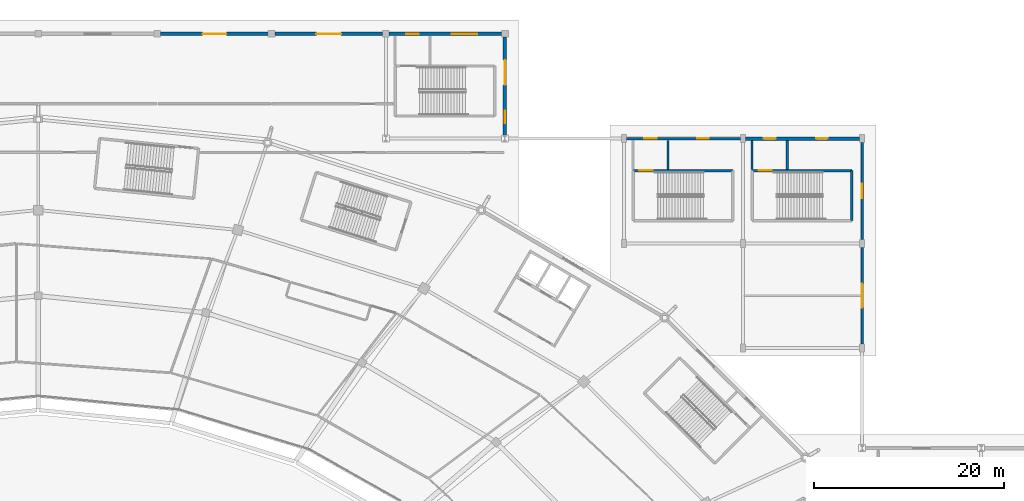
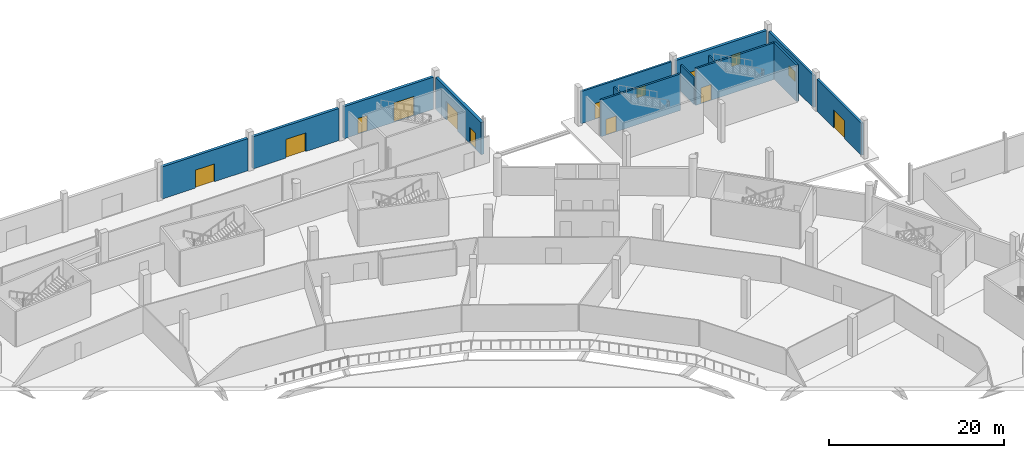
# One storey, part 53 of 82: 14 walls, 11 doors, 3 windows, 14 openings.
"""IFC4 building model written with IfcOpenShell, lengths in metres."""

from ifc_helpers import new_model, si_unit, direction, frame, frame_2d, origin, place, context, subcontext, project, spatial, rectangle, extrude, material, layer, layer_set, type_object, element, fill, save


model = new_model("IFC4")

# Units and contexts
model_context = context("Model", 3, precision=1e-05, world=origin(), true_north=direction((0.0, 1.0)))
body_context = subcontext(model_context, "Body", "Model", "MODEL_VIEW")
ifc_project = project(units=[si_unit("LENGTHUNIT", "METRE"), si_unit("AREAUNIT", "SQUARE_METRE"), si_unit("VOLUMEUNIT", "CUBIC_METRE"), si_unit("PLANEANGLEUNIT", "RADIAN"), si_unit("MASSUNIT", "GRAM", prefix="KILO")], contexts=[model_context])

# Site, building, storey
site_placement = place(None, origin())
site = spatial("IfcSite", under=ifc_project, at=site_placement, CompositionType="ELEMENT")
building_placement = place(site_placement, origin())
building = spatial("IfcBuilding", under=site, at=building_placement, Name="Zlatoyarsky Gate Stadium", CompositionType="ELEMENT")
storey_placement = place(building_placement, origin())
storey = spatial("IfcBuildingStorey", under=building, at=storey_placement, Name="L00", CompositionType="ELEMENT", Elevation=0.0)

# Wall, opening, door
ifc_material_1 = material(Name="Concrete C40/50", Category="concrete")
ifc_layer_1 = layer(ifc_material_1, 0.25)
ifc_layer_set_1 = layer_set([ifc_layer_1], Name="Concrete C40/50")
wall_type_1 = type_object("IfcWallType", Name="CONCRETE STAIR CORE SHEAR WALL 250", PredefinedType="SHEAR", material=ifc_layer_set_1)
wall_1_placement = place(storey_placement, frame((183.925048828125, 145.625, 0.0), z_axis=(0.0, 0.0, 1.0), x_axis=(-1.0, 0.0, 0.0)))
wall_1 = element("IfcWall", 1, at=wall_1_placement, inside=storey, type_object=wall_type_1, Name="ST-27 L00 stair core right shear wall", PredefinedType="SHEAR", context=body_context, shape_type="SweptSolid", body=[
    extrude(rectangle(XDim=10.449951171875, YDim=0.25, at=frame_2d((5.22509765625, 0.0))), origin(), (0.0, 0.0, 1.0), 5.10009765625),
])
opening_1_placement = place(wall_1_placement, frame((8.39990234375, 0.0, 0.0)))
opening_1 = element("IfcOpeningElement", 2, at=opening_1_placement, cuts=wall_1, Name="Opening SD-ST-27-L00", PredefinedType="OPENING", context=body_context, shape_type="SweptSolid", body=[
    extrude(rectangle(XDim=1.39990234375, YDim=2.199951171875, at=frame_2d((0.699951171875, 1.10009765625))), frame((0.0, 0.135009765625, 0.0), z_axis=(0.0, -1.0, 0.0), x_axis=(1.0, 0.0, 0.0)), (0.0, 0.0, 1.0), 0.27001953125),
])
ifc_material_2 = material(Name="Powder-coated steel fire door", Category="steel")
door_type_1 = type_object("IfcDoorType", Name="STAIR CORE FIRE EXIT DOOR 1400X2200", OperationType="NOTDEFINED", PredefinedType="DOOR", material=ifc_material_2)
door_1_placement = place(opening_1_placement, frame((1.39990234375, 0.0, 0.0), z_axis=(0.0, 0.0, 1.0), x_axis=(-1.0, 0.0, 0.0)))
door_1 = element("IfcDoor", 3, at=door_1_placement, inside=storey, type_object=door_type_1, Name="ST-27 L00 protected exit discharge fire door", OperationType="SINGLE_SWING_RIGHT", OverallHeight=2.199951171875, OverallWidth=1.39990234375, PredefinedType="DOOR", context=body_context, shape_type="SweptSolid", body=[
    extrude(rectangle(XDim=1.39990234375, YDim=2.199951171875, at=frame_2d((0.699951171875, 1.10009765625))), frame((0.0, 0.02490234375, 0.0), z_axis=(0.0, -1.0, 0.0), x_axis=(1.0, 0.0, 0.0)), (0.0, 0.0, 1.0), 0.050048828125),
])
fill(opening_1, door_1)

# Wall
wall_2_placement = place(storey_placement, frame((196.425048828125, 140.375, 0.0), z_axis=(0.0, 0.0, 1.0), x_axis=(0.0, 1.0, 0.0)))
element("IfcWall", 4, at=wall_2_placement, inside=storey, type_object=wall_type_1, Name="ST-28 L00 stair core far shear wall", PredefinedType="SHEAR", context=body_context, shape_type="SweptSolid", body=[
    extrude(rectangle(XDim=5.25, YDim=0.25, at=frame_2d((2.625, 0.0))), origin(), (0.0, 0.0, 1.0), 5.10009765625),
])

# Wall, opening, door
wall_3_placement = place(storey_placement, frame((196.425048828125, 145.625, 0.0), z_axis=(0.0, 0.0, 1.0), x_axis=(-1.0, 0.0, 0.0)))
wall_3 = element("IfcWall", 5, at=wall_3_placement, inside=storey, type_object=wall_type_1, Name="ST-28 L00 stair core right shear wall", PredefinedType="SHEAR", context=body_context, shape_type="SweptSolid", body=[
    extrude(rectangle(XDim=10.449951171875, YDim=0.25, at=frame_2d((5.22509765625, 0.0))), origin(), (0.0, 0.0, 1.0), 5.10009765625),
])
opening_2_placement = place(wall_3_placement, frame((8.39990234375, 0.0, 0.0)))
opening_2 = element("IfcOpeningElement", 6, at=opening_2_placement, cuts=wall_3, Name="Opening SD-ST-28-L00", PredefinedType="OPENING", context=body_context, shape_type="SweptSolid", body=[
    extrude(rectangle(XDim=1.39990234375, YDim=2.199951171875, at=frame_2d((0.699951171875, 1.10009765625))), frame((0.0, 0.135009765625, 0.0), z_axis=(0.0, -1.0, 0.0), x_axis=(1.0, 0.0, 0.0)), (0.0, 0.0, 1.0), 0.27001953125),
])
door_2_placement = place(opening_2_placement, frame((1.39990234375, 0.0, 0.0), z_axis=(0.0, 0.0, 1.0), x_axis=(-1.0, 0.0, 0.0)))
door_2 = element("IfcDoor", 7, at=door_2_placement, inside=storey, type_object=door_type_1, Name="ST-28 L00 protected exit discharge fire door", OperationType="SINGLE_SWING_LEFT", OverallHeight=2.199951171875, OverallWidth=1.39990234375, PredefinedType="DOOR", context=body_context, shape_type="SweptSolid", body=[
    extrude(rectangle(XDim=1.39990234375, YDim=2.199951171875, at=frame_2d((0.699951171875, 1.10009765625))), frame((0.0, 0.02490234375, 0.0), z_axis=(0.0, -1.0, 0.0), x_axis=(1.0, 0.0, 0.0)), (0.0, 0.0, 1.0), 0.050048828125),
])
fill(opening_2, door_2)

# Walls
ifc_material_3 = material(Name="Autoclaved aerated concrete masonry EI 120", Category="masonry")
ifc_layer_2 = layer(ifc_material_3, 0.219970703125)
ifc_layer_set_2 = layer_set([ifc_layer_2], Name="Autoclaved aerated concrete masonry EI 120")
wall_type_2 = type_object("IfcWallType", Name="FIREFIGHTING LOBBY RATED WALL 220", PredefinedType="PARTITIONING", material=ifc_layer_set_2)
for number, where, z_axis, x_axis, name in (
    (8, (177.139892578125, 145.760009765625, 0.0), (0.0, 0.0, 1.0), (0.0, 1.0, 0.0), "ST-27 L00 protected exit lobby EI 120 wall 2"),
    (9, (185.9599609375, 145.760009765625, 0.0), (0.0, 0.0, 1.0), (0.0, 1.0, 0.0), "ST-28 L00 protected exit lobby EI 120 wall 1"),
    (10, (189.639892578125, 145.760009765625, 0.0), (0.0, 0.0, 1.0), (0.0, 1.0, 0.0), "ST-28 L00 protected exit lobby EI 120 wall 2"),
):
    element("IfcWall", number, at=place(storey_placement, frame(where, z_axis=z_axis, x_axis=x_axis)), inside=storey, type_object=wall_type_2, Name=name, PredefinedType="PARTITIONING", context=body_context, shape_type="SweptSolid", body=[
        extrude(rectangle(XDim=3.050048828125, YDim=0.219970703125, at=frame_2d((1.52490234375, 0.0))), origin(), (0.0, 0.0, 1.0), 3.68994140625),
    ])

# Wall, opening, door
ifc_material_4 = material(Name="Precast concrete C40/50 architectural panel", Category="concrete")
ifc_layer_3 = layer(ifc_material_4, 0.280029296875)
ifc_layer_set_3 = layer_set([ifc_layer_3], Name="Precast concrete C40/50 architectural panel")
wall_type_3 = type_object("IfcWallType", Name="INSULATED WING SPANDREL WALL 280", PredefinedType="STANDARD", material=ifc_layer_set_3)
wall_4_placement = place(storey_placement, frame((197.5, 127.422119140625, 0.0), z_axis=(0.0, 0.0, 1.0), x_axis=(0.0, 1.0, 0.0)))
wall_4 = element("IfcWall", 11, at=wall_4_placement, inside=storey, type_object=wall_type_3, Name="V6_NE L00 E exterior wall", PredefinedType="STANDARD", context=body_context, shape_type="SweptSolid", body=[
    extrude(rectangle(XDim=10.15576171875, YDim=0.280029296875, at=frame_2d((5.077880859375, 0.0))), origin(), (0.0, 0.0, 1.0), 4.47998046875),
])
opening_3_placement = place(wall_4_placement, frame((3.827880859375, 0.0, 0.0)))
opening_3 = element("IfcOpeningElement", 12, at=opening_3_placement, cuts=wall_4, Name="Opening ED-V6NE", PredefinedType="OPENING", context=body_context, shape_type="SweptSolid", body=[
    extrude(rectangle(XDim=2.5, YDim=2.5, at=frame_2d((1.25, 1.25))), frame((0.0, 0.14990234375, 0.0), z_axis=(0.0, -1.0, 0.0), x_axis=(1.0, 0.0, 0.0)), (0.0, 0.0, 1.0), 0.300048828125),
])
ifc_material_5 = material(Name="Thermally broken powder-coated steel and laminated safety glass", Category="steel")
door_type_2 = type_object("IfcDoorType", Name="PAVILION ENTRANCE DOUBLE DOOR 2500X2500", OperationType="DOUBLE_DOOR_SINGLE_SWING", PredefinedType="DOOR", material=ifc_material_5)
door_3_placement = place(opening_3_placement, frame((2.5, 0.0, 0.0), z_axis=(0.0, 0.0, 1.0), x_axis=(-1.0, 0.0, 0.0)))
door_3 = element("IfcDoor", 13, at=door_3_placement, inside=storey, type_object=door_type_2, Name="Exterior door ED-V6NE", OperationType="DOUBLE_DOOR_SINGLE_SWING", OverallHeight=2.5, OverallWidth=2.5, PredefinedType="DOOR", context=body_context, shape_type="SweptSolid", body=[
    extrude(rectangle(XDim=2.5, YDim=2.5, at=frame_2d((1.25, 1.25))), frame((0.0, 0.02490234375, 0.0), z_axis=(0.0, -1.0, 0.0), x_axis=(1.0, 0.0, 0.0)), (0.0, 0.0, 1.0), 0.050048828125),
])
fill(opening_3, door_3)

# Wall, opening, window
wall_5_placement = place(storey_placement, frame((197.5, 138.422119140625, 0.0), z_axis=(0.0, 0.0, 1.0), x_axis=(0.0, 1.0, 0.0)))
wall_5 = element("IfcWall", 14, at=wall_5_placement, inside=storey, type_object=wall_type_3, Name="V6_NE L00 E exterior wall", PredefinedType="STANDARD", context=body_context, shape_type="SweptSolid", body=[
    extrude(rectangle(XDim=10.15576171875, YDim=0.280029296875, at=frame_2d((5.077880859375, 0.0))), origin(), (0.0, 0.0, 1.0), 4.47998046875),
])
opening_4_placement = place(wall_5_placement, frame((4.327880859375, 0.0, 0.949951171875)))
opening_4 = element("IfcOpeningElement", 15, at=opening_4_placement, cuts=wall_5, Name="Opening WN-05", PredefinedType="OPENING", context=body_context, shape_type="SweptSolid", body=[
    extrude(rectangle(XDim=1.5, YDim=1.35009765625, at=frame_2d((0.75, 0.675048828125))), frame((0.0, 0.14990234375, 0.0), z_axis=(0.0, -1.0, 0.0), x_axis=(1.0, 0.0, 0.0)), (0.0, 0.0, 1.0), 0.300048828125),
])
ifc_material_6 = material(Name="Triple-glazed thermally broken aluminium window", Category="aluminium")
window_type_1 = type_object("IfcWindowType", Name="TRIPLE GLAZED ALUMINIUM WINDOW 1500X1350", PartitioningType="SINGLE_PANEL", PredefinedType="WINDOW", material=ifc_material_6)
window_1_placement = place(opening_4_placement, origin())
window_1 = element("IfcWindow", 16, at=window_1_placement, inside=storey, type_object=window_type_1, Name="Exterior window WIN-L00-089", OverallHeight=1.35009765625, OverallWidth=1.5, PartitioningType="SINGLE_PANEL", PredefinedType="WINDOW", context=body_context, shape_type="SweptSolid", body=[
    extrude(rectangle(XDim=1.5, YDim=1.35009765625, at=frame_2d((0.75, 0.675048828125))), frame((0.0, 0.030029296875, 0.0), z_axis=(0.0, -1.0, 0.0), x_axis=(1.0, 0.0, 0.0)), (0.0, 0.0, 1.0), 0.06005859375),
])
fill(opening_4, window_1)

# Wall, opening, door
ifc_material_7 = material(Name="Limestone-faced insulated masonry wall", Category="masonry")
ifc_layer_4 = layer(ifc_material_7, 0.360107421875)
ifc_layer_set_4 = layer_set([ifc_layer_4], Name="Limestone-faced insulated masonry wall")
wall_type_4 = type_object("IfcWallType", Name="LIMESTONE CLAD CAVITY WALL 360", PredefinedType="STANDARD", material=ifc_layer_set_4)
wall_6_placement = place(storey_placement, frame((123.846923828125, 160.0, 0.0), z_axis=(0.0, 0.0, 1.0), x_axis=(1.0, 0.0, 0.0)))
wall_6 = element("IfcWall", 17, at=wall_6_placement, inside=storey, type_object=wall_type_4, Name="V2_NORTH L00 N exterior wall", PredefinedType="STANDARD", context=body_context, shape_type="SweptSolid", body=[
    extrude(rectangle(XDim=11.30615234375, YDim=0.360107421875, at=frame_2d((5.653076171875, 0.0))), origin(), (0.0, 0.0, 1.0), 4.47998046875),
])
opening_5_placement = place(wall_6_placement, frame((4.403076171875, 0.0, 0.0)))
opening_5 = element("IfcOpeningElement", 18, at=opening_5_placement, cuts=wall_6, Name="Opening E06", PredefinedType="OPENING", context=body_context, shape_type="SweptSolid", body=[
    extrude(rectangle(XDim=2.5, YDim=2.5, at=frame_2d((1.25, 1.25))), frame((0.0, 0.18994140625, 0.0), z_axis=(0.0, -1.0, 0.0), x_axis=(1.0, 0.0, 0.0)), (0.0, 0.0, 1.0), 0.380126953125),
])
door_4_placement = place(opening_5_placement, origin())
door_4 = element("IfcDoor", 19, at=door_4_placement, inside=storey, type_object=door_type_2, Name="Exterior door E06", OperationType="DOUBLE_DOOR_SINGLE_SWING", OverallHeight=2.5, OverallWidth=2.5, PredefinedType="DOOR", context=body_context, shape_type="SweptSolid", body=[
    extrude(rectangle(XDim=2.5, YDim=2.5, at=frame_2d((1.25, 1.25))), frame((0.0, 0.02490234375, 0.0), z_axis=(0.0, -1.0, 0.0), x_axis=(1.0, 0.0, 0.0)), (0.0, 0.0, 1.0), 0.050048828125),
])
fill(opening_5, door_4)

wall_7_placement = place(storey_placement, frame((135.846923828125, 160.0, 0.0), z_axis=(0.0, 0.0, 1.0), x_axis=(1.0, 0.0, 0.0)))
wall_7 = element("IfcWall", 20, at=wall_7_placement, inside=storey, type_object=wall_type_4, Name="V2_NORTH L00 N exterior wall", PredefinedType="STANDARD", context=body_context, shape_type="SweptSolid", body=[
    extrude(rectangle(XDim=11.30615234375, YDim=0.360107421875, at=frame_2d((5.653076171875, 0.0))), origin(), (0.0, 0.0, 1.0), 4.47998046875),
])
opening_6_placement = place(wall_7_placement, frame((4.35302734375, 0.0, 0.0)))
opening_6 = element("IfcOpeningElement", 21, at=opening_6_placement, cuts=wall_7, Name="Opening E07", PredefinedType="OPENING", context=body_context, shape_type="SweptSolid", body=[
    extrude(rectangle(XDim=2.60009765625, YDim=2.60009765625, at=frame_2d((1.300048828125, 1.300048828125))), frame((0.0, 0.18994140625, 0.0), z_axis=(0.0, -1.0, 0.0), x_axis=(1.0, 0.0, 0.0)), (0.0, 0.0, 1.0), 0.380126953125),
])
door_type_3 = type_object("IfcDoorType", Name="MAIN CIVIC ENTRANCE DOUBLE DOOR 2600X2600", OperationType="DOUBLE_DOOR_SINGLE_SWING", PredefinedType="DOOR", material=ifc_material_5)
door_5_placement = place(opening_6_placement, origin())
door_5 = element("IfcDoor", 22, at=door_5_placement, inside=storey, type_object=door_type_3, Name="Exterior door E07", OperationType="DOUBLE_DOOR_SINGLE_SWING", OverallHeight=2.60009765625, OverallWidth=2.60009765625, PredefinedType="DOOR", context=body_context, shape_type="SweptSolid", body=[
    extrude(rectangle(XDim=2.60009765625, YDim=2.60009765625, at=frame_2d((1.300048828125, 1.300048828125))), frame((0.0, 0.02490234375, 0.0), z_axis=(0.0, -1.0, 0.0), x_axis=(1.0, 0.0, 0.0)), (0.0, 0.0, 1.0), 0.050048828125),
])
fill(opening_6, door_5)

# Wall, openings, doors
wall_8_placement = place(storey_placement, frame((147.846923828125, 160.0, 0.0), z_axis=(0.0, 0.0, 1.0), x_axis=(1.0, 0.0, 0.0)))
wall_8 = element("IfcWall", 23, at=wall_8_placement, inside=storey, type_object=wall_type_4, Name="V2_NORTH L00 N exterior wall", PredefinedType="STANDARD", context=body_context, shape_type="SweptSolid", body=[
    extrude(rectangle(XDim=11.80615234375, YDim=0.360107421875, at=frame_2d((5.903076171875, 0.0))), origin(), (0.0, 0.0, 1.0), 4.47998046875),
])
opening_7_placement = place(wall_8_placement, frame((1.802978515625, 0.0, 0.0)))
opening_7 = element("IfcOpeningElement", 24, at=opening_7_placement, cuts=wall_8, Name="Opening ED-ST32", PredefinedType="OPENING", context=body_context, shape_type="SweptSolid", body=[
    extrude(rectangle(XDim=1.300048828125, YDim=2.199951171875, at=frame_2d((0.64990234375, 1.10009765625))), frame((0.0, 0.18994140625, 0.0), z_axis=(0.0, -1.0, 0.0), x_axis=(1.0, 0.0, 0.0)), (0.0, 0.0, 1.0), 0.380126953125),
])
opening_8_placement = place(wall_8_placement, frame((6.549560546875, 0.0, 0.0)))
opening_8 = element("IfcOpeningElement", 25, at=opening_8_placement, cuts=wall_8, Name="Opening E08", PredefinedType="OPENING", context=body_context, shape_type="SweptSolid", body=[
    extrude(rectangle(XDim=2.699951171875, YDim=2.699951171875, at=frame_2d((1.35009765625, 1.35009765625))), frame((0.0, 0.18994140625, 0.0), z_axis=(0.0, -1.0, 0.0), x_axis=(1.0, 0.0, 0.0)), (0.0, 0.0, 1.0), 0.380126953125),
])
door_type_4 = type_object("IfcDoorType", Name="MONUMENTAL GATE ENTRANCE DOOR 2700X2700", OperationType="DOUBLE_DOOR_SINGLE_SWING", PredefinedType="DOOR", material=ifc_material_5)
door_6_placement = place(opening_8_placement, origin())
door_6 = element("IfcDoor", 26, at=door_6_placement, inside=storey, type_object=door_type_4, Name="Exterior door E08", OperationType="DOUBLE_DOOR_SINGLE_SWING", OverallHeight=2.699951171875, OverallWidth=2.699951171875, PredefinedType="DOOR", context=body_context, shape_type="SweptSolid", body=[
    extrude(rectangle(XDim=2.699951171875, YDim=2.699951171875, at=frame_2d((1.35009765625, 1.35009765625))), frame((0.0, 0.02490234375, 0.0), z_axis=(0.0, -1.0, 0.0), x_axis=(1.0, 0.0, 0.0)), (0.0, 0.0, 1.0), 0.050048828125),
])
fill(opening_8, door_6)
door_type_5 = type_object("IfcDoorType", Name="STAIR DISCHARGE FIRE EXIT DOOR 1300X2200", OperationType="NOTDEFINED", PredefinedType="DOOR", material=ifc_material_5)
door_7_placement = place(opening_7_placement, origin())
door_7 = element("IfcDoor", 27, at=door_7_placement, inside=storey, type_object=door_type_5, Name="Exterior door ED-ST32", OperationType="SINGLE_SWING_RIGHT", OverallHeight=2.199951171875, OverallWidth=1.300048828125, PredefinedType="DOOR", context=body_context, shape_type="SweptSolid", body=[
    extrude(rectangle(XDim=1.300048828125, YDim=2.199951171875, at=frame_2d((0.64990234375, 1.10009765625))), frame((0.0, 0.02490234375, 0.0), z_axis=(0.0, -1.0, 0.0), x_axis=(1.0, 0.0, 0.0)), (0.0, 0.0, 1.0), 0.050048828125),
])
fill(opening_7, door_7)

wall_9_placement = place(storey_placement, frame((160.0, 149.2470703125, 0.0), z_axis=(0.0, 0.0, 1.0), x_axis=(0.0, 1.0, 0.0)))
wall_9 = element("IfcWall", 28, at=wall_9_placement, inside=storey, type_object=wall_type_4, Name="V2_NORTH L00 E exterior wall", PredefinedType="STANDARD", context=body_context, shape_type="SweptSolid", body=[
    extrude(rectangle(XDim=10.406005859375, YDim=0.360107421875, at=frame_2d((5.203125, 0.0))), origin(), (0.0, 0.0, 1.0), 4.47998046875),
])
opening_9_placement = place(wall_9_placement, frame((1.35009765625, 0.0, 0.0)))
opening_9 = element("IfcOpeningElement", 29, at=opening_9_placement, cuts=wall_9, Name="Opening ED-V2NE", PredefinedType="OPENING", context=body_context, shape_type="SweptSolid", body=[
    extrude(rectangle(XDim=1.300048828125, YDim=2.199951171875, at=frame_2d((0.64990234375, 1.10009765625))), frame((0.0, 0.18994140625, 0.0), z_axis=(0.0, -1.0, 0.0), x_axis=(1.0, 0.0, 0.0)), (0.0, 0.0, 1.0), 0.380126953125),
])
opening_10_placement = place(wall_9_placement, frame((5.39990234375, 0.0, 0.0)))
opening_10 = element("IfcOpeningElement", 30, at=opening_10_placement, cuts=wall_9, Name="Opening E10", PredefinedType="OPENING", context=body_context, shape_type="SweptSolid", body=[
    extrude(rectangle(XDim=2.60009765625, YDim=2.60009765625, at=frame_2d((1.300048828125, 1.300048828125))), frame((0.0, 0.18994140625, 0.0), z_axis=(0.0, -1.0, 0.0), x_axis=(1.0, 0.0, 0.0)), (0.0, 0.0, 1.0), 0.380126953125),
])
door_8_placement = place(opening_10_placement, frame((2.60009765625, 0.0, 0.0), z_axis=(0.0, 0.0, 1.0), x_axis=(-1.0, 0.0, 0.0)))
door_8 = element("IfcDoor", 31, at=door_8_placement, inside=storey, type_object=door_type_3, Name="Exterior door E10", OperationType="DOUBLE_DOOR_SINGLE_SWING", OverallHeight=2.60009765625, OverallWidth=2.60009765625, PredefinedType="DOOR", context=body_context, shape_type="SweptSolid", body=[
    extrude(rectangle(XDim=2.60009765625, YDim=2.60009765625, at=frame_2d((1.300048828125, 1.300048828125))), frame((0.0, 0.02490234375, 0.0), z_axis=(0.0, -1.0, 0.0), x_axis=(1.0, 0.0, 0.0)), (0.0, 0.0, 1.0), 0.050048828125),
])
fill(opening_10, door_8)
door_9_placement = place(opening_9_placement, frame((1.300048828125, 0.0, 0.0), z_axis=(0.0, 0.0, 1.0), x_axis=(-1.0, 0.0, 0.0)))
door_9 = element("IfcDoor", 32, at=door_9_placement, inside=storey, type_object=door_type_5, Name="Exterior door ED-V2NE", OperationType="SINGLE_SWING_RIGHT", OverallHeight=2.199951171875, OverallWidth=1.300048828125, PredefinedType="DOOR", context=body_context, shape_type="SweptSolid", body=[
    extrude(rectangle(XDim=1.300048828125, YDim=2.199951171875, at=frame_2d((0.64990234375, 1.10009765625))), frame((0.0, 0.02490234375, 0.0), z_axis=(0.0, -1.0, 0.0), x_axis=(1.0, 0.0, 0.0)), (0.0, 0.0, 1.0), 0.050048828125),
])
fill(opening_9, door_9)

# Wall, openings, door, window
wall_10_placement = place(storey_placement, frame((185.27197265625, 149.0, 0.0), z_axis=(0.0, 0.0, 1.0), x_axis=(1.0, 0.0, 0.0)))
wall_10 = element("IfcWall", 33, at=wall_10_placement, inside=storey, type_object=wall_type_4, Name="V6_NE L00 N exterior wall", PredefinedType="STANDARD", context=body_context, shape_type="SweptSolid", body=[
    extrude(rectangle(XDim=11.9560546875, YDim=0.360107421875, at=frame_2d((5.97802734375, 0.0))), origin(), (0.0, 0.0, 1.0), 4.47998046875),
])
opening_11_placement = place(wall_10_placement, frame((1.8779296875, 0.0, 0.0)))
opening_11 = element("IfcOpeningElement", 34, at=opening_11_placement, cuts=wall_10, Name="Opening ED-ST28", PredefinedType="OPENING", context=body_context, shape_type="SweptSolid", body=[
    extrude(rectangle(XDim=1.300048828125, YDim=2.199951171875, at=frame_2d((0.64990234375, 1.10009765625))), frame((0.0, 0.18994140625, 0.0), z_axis=(0.0, -1.0, 0.0), x_axis=(1.0, 0.0, 0.0)), (0.0, 0.0, 1.0), 0.380126953125),
])
opening_12_placement = place(wall_10_placement, frame((7.412109375, 0.0, 0.949951171875)))
opening_12 = element("IfcOpeningElement", 35, at=opening_12_placement, cuts=wall_10, Name="Opening WN-02", PredefinedType="OPENING", context=body_context, shape_type="SweptSolid", body=[
    extrude(rectangle(XDim=1.199951171875, YDim=1.60009765625, at=frame_2d((0.60009765625, 0.800048828125))), frame((0.0, 0.18994140625, 0.0), z_axis=(0.0, -1.0, 0.0), x_axis=(1.0, 0.0, 0.0)), (0.0, 0.0, 1.0), 0.380126953125),
])
door_10_placement = place(opening_11_placement, origin())
door_10 = element("IfcDoor", 36, at=door_10_placement, inside=storey, type_object=door_type_5, Name="Exterior door ED-ST28", OperationType="SINGLE_SWING_RIGHT", OverallHeight=2.199951171875, OverallWidth=1.300048828125, PredefinedType="DOOR", context=body_context, shape_type="SweptSolid", body=[
    extrude(rectangle(XDim=1.300048828125, YDim=2.199951171875, at=frame_2d((0.64990234375, 1.10009765625))), frame((0.0, 0.02490234375, 0.0), z_axis=(0.0, -1.0, 0.0), x_axis=(1.0, 0.0, 0.0)), (0.0, 0.0, 1.0), 0.050048828125),
])
fill(opening_11, door_10)
window_type_2 = type_object("IfcWindowType", Name="TRIPLE GLAZED ALUMINIUM WINDOW 1200X1600", PartitioningType="SINGLE_PANEL", PredefinedType="WINDOW", material=ifc_material_6)
window_2_placement = place(opening_12_placement, origin())
window_2 = element("IfcWindow", 37, at=window_2_placement, inside=storey, type_object=window_type_2, Name="Exterior window WIN-L00-086", OverallHeight=1.60009765625, OverallWidth=1.199951171875, PartitioningType="SINGLE_PANEL", PredefinedType="WINDOW", context=body_context, shape_type="SweptSolid", body=[
    extrude(rectangle(XDim=1.199951171875, YDim=1.60009765625, at=frame_2d((0.60009765625, 0.800048828125))), frame((0.0, 0.030029296875, 0.0), z_axis=(0.0, -1.0, 0.0), x_axis=(1.0, 0.0, 0.0)), (0.0, 0.0, 1.0), 0.06005859375),
])
fill(opening_12, window_2)

ifc_layer_5 = layer(ifc_material_7, 0.260009765625)
ifc_layer_set_5 = layer_set([ifc_layer_5], Name="Limestone-faced insulated masonry wall")
wall_type_5 = type_object("IfcWallType", Name="PORTICO COLONNADE PLINTH WALL 260", PredefinedType="STANDARD", material=ifc_layer_set_5)
wall_11_placement = place(storey_placement, frame((172.77197265625, 149.0, 0.0), z_axis=(0.0, 0.0, 1.0), x_axis=(1.0, 0.0, 0.0)))
wall_11 = element("IfcWall", 38, at=wall_11_placement, inside=storey, type_object=wall_type_5, Name="V6_NE L00 N exterior wall", PredefinedType="STANDARD", context=body_context, shape_type="SweptSolid", body=[
    extrude(rectangle(XDim=11.9560546875, YDim=0.260009765625, at=frame_2d((5.97802734375, 0.0))), origin(), (0.0, 0.0, 1.0), 4.47998046875),
])
opening_13_placement = place(wall_11_placement, frame((1.8779296875, 0.0, 0.0)))
opening_13 = element("IfcOpeningElement", 39, at=opening_13_placement, cuts=wall_11, Name="Opening ED-ST27", PredefinedType="OPENING", context=body_context, shape_type="SweptSolid", body=[
    extrude(rectangle(XDim=1.300048828125, YDim=2.199951171875, at=frame_2d((0.64990234375, 1.10009765625))), frame((0.0, 0.139892578125, 0.0), z_axis=(0.0, -1.0, 0.0), x_axis=(1.0, 0.0, 0.0)), (0.0, 0.0, 1.0), 0.280029296875),
])
opening_14_placement = place(wall_11_placement, frame((7.412109375, 0.0, 0.949951171875)))
opening_14 = element("IfcOpeningElement", 40, at=opening_14_placement, cuts=wall_11, Name="Opening WN-01", PredefinedType="OPENING", context=body_context, shape_type="SweptSolid", body=[
    extrude(rectangle(XDim=1.199951171875, YDim=1.35009765625, at=frame_2d((0.60009765625, 0.675048828125))), frame((0.0, 0.139892578125, 0.0), z_axis=(0.0, -1.0, 0.0), x_axis=(1.0, 0.0, 0.0)), (0.0, 0.0, 1.0), 0.280029296875),
])
door_11_placement = place(opening_13_placement, origin())
door_11 = element("IfcDoor", 41, at=door_11_placement, inside=storey, type_object=door_type_5, Name="Exterior door ED-ST27", OperationType="SINGLE_SWING_LEFT", OverallHeight=2.199951171875, OverallWidth=1.300048828125, PredefinedType="DOOR", context=body_context, shape_type="SweptSolid", body=[
    extrude(rectangle(XDim=1.300048828125, YDim=2.199951171875, at=frame_2d((0.64990234375, 1.10009765625))), frame((0.0, 0.02490234375, 0.0), z_axis=(0.0, -1.0, 0.0), x_axis=(1.0, 0.0, 0.0)), (0.0, 0.0, 1.0), 0.050048828125),
])
fill(opening_13, door_11)
window_type_3 = type_object("IfcWindowType", Name="TRIPLE GLAZED ALUMINIUM WINDOW 1200X1350", PartitioningType="SINGLE_PANEL", PredefinedType="WINDOW", material=ifc_material_6)
window_3_placement = place(opening_14_placement, origin())
window_3 = element("IfcWindow", 42, at=window_3_placement, inside=storey, type_object=window_type_3, Name="Exterior window WIN-L00-085", OverallHeight=1.35009765625, OverallWidth=1.199951171875, PartitioningType="SINGLE_PANEL", PredefinedType="WINDOW", context=body_context, shape_type="SweptSolid", body=[
    extrude(rectangle(XDim=1.199951171875, YDim=1.35009765625, at=frame_2d((0.60009765625, 0.675048828125))), frame((0.0, 0.030029296875, 0.0), z_axis=(0.0, -1.0, 0.0), x_axis=(1.0, 0.0, 0.0)), (0.0, 0.0, 1.0), 0.06005859375),
])
fill(opening_14, window_3)

save(model, "model.ifc")
